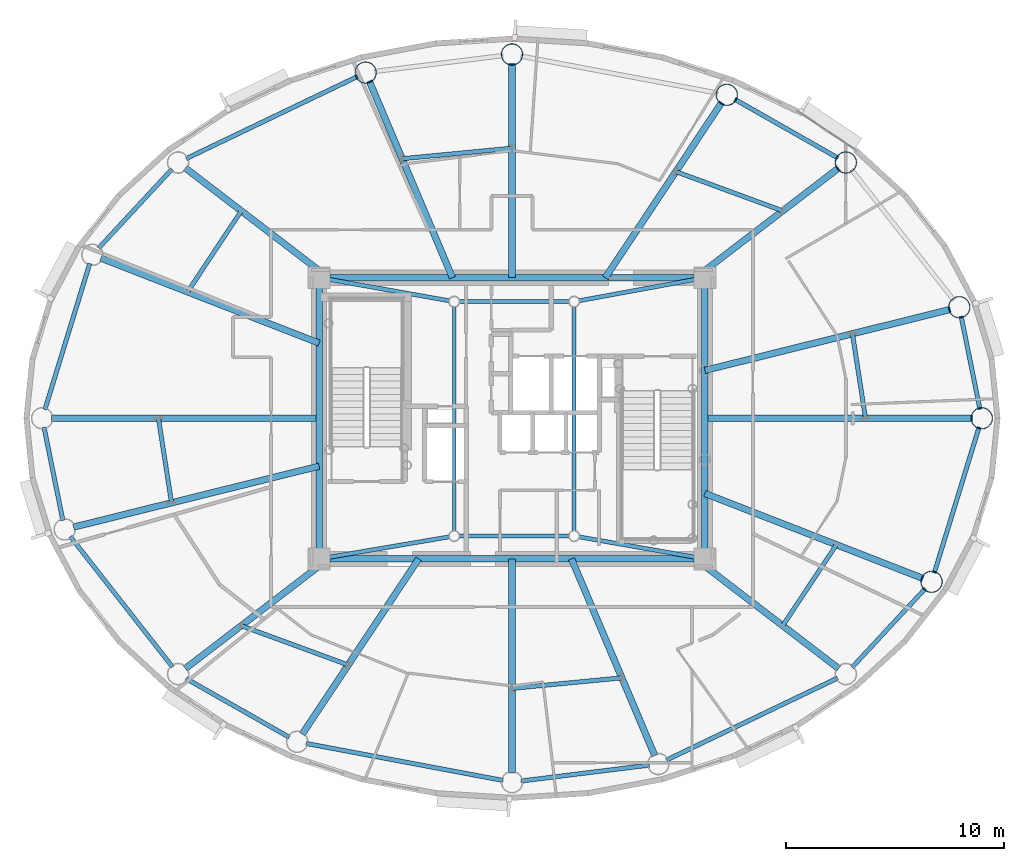
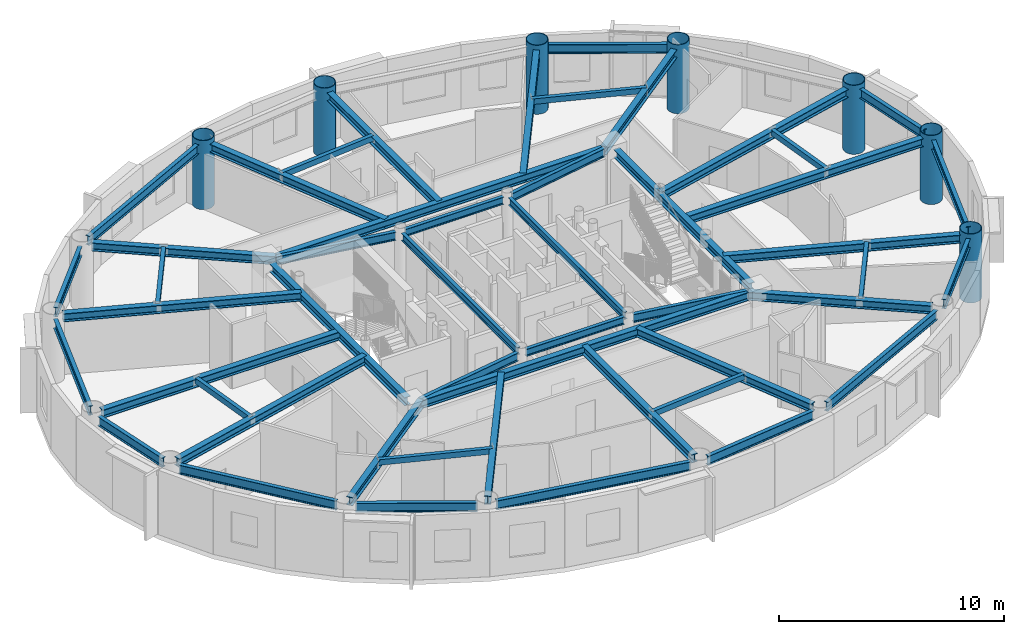
# One storey, part 2 of 17: 49 beams, 7 columns.
"""IFC4 building model written with IfcOpenShell, lengths in metres."""

from ifc_helpers import new_model, si_unit, direction, frame, origin, origin_2d, place, context, subcontext, project, spatial, hollow_rectangle, hollow_circle, i_section, extrude, material, material_profile, profile_set, type_object, element, save


model = new_model("IFC4")

# Units and contexts
model_context = context("Model", 3, precision=1e-05, world=origin(), true_north=direction((0.0, 1.0)))
body_context = subcontext(model_context, "Body", "Model", "MODEL_VIEW")
ifc_project = project(units=[si_unit("LENGTHUNIT", "METRE"), si_unit("AREAUNIT", "SQUARE_METRE"), si_unit("VOLUMEUNIT", "CUBIC_METRE"), si_unit("PLANEANGLEUNIT", "RADIAN"), si_unit("MASSUNIT", "GRAM", prefix="KILO")], contexts=[model_context])

# Site, building, storey
site_placement = place(None, origin())
site = spatial("IfcSite", under=ifc_project, at=site_placement, CompositionType="ELEMENT")
building_placement = place(site_placement, origin())
building = spatial("IfcBuilding", under=site, at=building_placement, Name="Linh Dai School and Residence Tower", CompositionType="ELEMENT")
storey_placement = place(building_placement, frame((0.0, 0.0, 310.5)))
storey = spatial("IfcBuildingStorey", under=building, at=storey_placement, Name="L77", CompositionType="ELEMENT", Elevation=310.5)

# Columns
ifc_material = material(Name="Structural Steel S355JR", Category="steel")
ifc_material_profile_1 = material_profile(ifc_material, hollow_circle(Radius=0.5, WallThickness=0.031982421875, at=origin_2d()), Name="CHS 1000x32")
ifc_profile_set_1 = profile_set([ifc_material_profile_1], Name="Structural Steel S355JR")
column_type = type_object("IfcColumnType", Name="COL-MC6", PredefinedType="COLUMN", material=ifc_profile_set_1)
for number, where, z_axis, x_axis, name in (
    (1, (57.550048828125, 27.0, 0.0), (0.0, 0.0, 1.0), (1.0, 0.0, 0.0), "L77 Perimeter CFT Mega-Column MC01"),
    (2, (56.5185546875, 32.094482421875, 0.0), (0.0, 0.0, 1.0), (1.0, 0.0, 0.0), "L77 Perimeter CFT Mega-Column MC02"),
    (3, (51.315185546875, 38.7333984375, 0.0), (0.0, 0.0, 1.0), (1.0, 0.0, 0.0), "L77 Perimeter CFT Mega-Column MC03"),
    (4, (45.8544921875, 41.8388671875, 0.0), (0.0, 0.0, 1.0), (1.0, 0.0, 0.0), "L77 Perimeter CFT Mega-Column MC04"),
    (5, (36.0, 43.68994140625, 0.0), (0.0, 0.0, 1.0), (1.0, 0.0, 0.0), "L77 Perimeter CFT Mega-Column MC05"),
    (6, (29.28759765625, 42.857666015625, 0.0), (0.0, 0.0, 1.0), (1.0, 0.0, 0.0), "L77 Perimeter CFT Mega-Column MC06"),
    (7, (55.24609375, 19.50048828125, 0.0), (0.0, 0.0, 1.0), (1.0, 0.0, 0.0), "L77 Perimeter CFT Mega-Column MC16"),
):
    element("IfcColumn", number, at=place(storey_placement, frame(where, z_axis=z_axis, x_axis=x_axis)), inside=storey, type_object=column_type, Name=name, PredefinedType="COLUMN", context=body_context, shape_type="SweptSolid", body=[
        extrude(hollow_circle(Radius=0.5, WallThickness=0.031982421875, at=origin_2d()), origin(), (0.0, 0.0, 1.0), 3.75),
    ])

# Beams
ifc_material_profile_2 = material_profile(ifc_material, hollow_rectangle(XDim=0.199951171875, YDim=0.300048828125, WallThickness=0.010009765625, at=origin_2d()), Name="RHS 300x200x10")
ifc_profile_set_2 = profile_set([ifc_material_profile_2], Name="Structural Steel S355JR")
beam_type_1 = type_object("IfcBeamType", Name="BM-BX3", PredefinedType="BEAM", material=ifc_profile_set_2)
beam_1_placement = place(storey_placement, frame((52.21533203125, 27.0048828125, 3.35009765625), z_axis=(-0.15246970742, 0.988308144416, 0.0), x_axis=(-0.988308144416, -0.15246970742, 0.0)))
element("IfcBeam", 8, at=beam_1_placement, inside=storey, type_object=beam_type_1, Name="L77 Secondary Circumferential Floor Beam 01", PredefinedType="BEAM", context=body_context, shape_type="SweptSolid", body=[
    extrude(hollow_rectangle(XDim=0.199951171875, YDim=0.300048828125, WallThickness=0.010009765625, at=origin_2d()), origin(), (0.0, 0.0, 1.0), 3.913330078125),
])
beam_2_placement = place(storey_placement, frame((48.4140625, 36.51611328125, 3.35009765625), z_axis=(-0.938699136888, 0.344737480418, 0.0), x_axis=(-0.344737480418, -0.938699136888, 0.0)))
element("IfcBeam", 9, at=beam_2_placement, inside=storey, type_object=beam_type_1, Name="L77 Secondary Circumferential Floor Beam 02", PredefinedType="BEAM", context=body_context, shape_type="SweptSolid", body=[
    extrude(hollow_rectangle(XDim=0.199951171875, YDim=0.300048828125, WallThickness=0.010009765625, at=origin_2d()), origin(), (0.0, 0.0, 1.0), 5.21435546875),
])
beam_3_placement = place(storey_placement, frame((35.9951171875, 39.388671875, 3.35009765625), z_axis=(-0.99544604529, -0.095326653757, 0.0), x_axis=(0.095326653757, -0.99544604529, 0.0)))
element("IfcBeam", 10, at=beam_3_placement, inside=storey, type_object=beam_type_1, Name="L77 Secondary Circumferential Floor Beam 03", PredefinedType="BEAM", context=body_context, shape_type="SweptSolid", body=[
    extrude(hollow_rectangle(XDim=0.199951171875, YDim=0.300048828125, WallThickness=0.010009765625, at=origin_2d()), origin(), (0.0, 0.0, 1.0), 5.052978515625),
])
beam_4_placement = place(storey_placement, frame((23.57861328125, 36.51025390625, 3.35009765625), z_axis=(-0.552138599569, -0.833752341445, 0.0), x_axis=(0.833752341445, -0.552138599569, 0.0)))
element("IfcBeam", 11, at=beam_4_placement, inside=storey, type_object=beam_type_1, Name="L77 Secondary Circumferential Floor Beam 04", PredefinedType="BEAM", context=body_context, shape_type="SweptSolid", body=[
    extrude(hollow_rectangle(XDim=0.199951171875, YDim=0.300048828125, WallThickness=0.010009765625, at=origin_2d()), origin(), (0.0, 0.0, 1.0), 4.447265625),
])
beam_5_placement = place(storey_placement, frame((19.78466796875, 26.9951171875, 3.35009765625), z_axis=(0.15246970742, -0.988308144416, 0.0), x_axis=(0.988308144416, 0.15246970742, 0.0)))
element("IfcBeam", 12, at=beam_5_placement, inside=storey, type_object=beam_type_1, Name="L77 Secondary Circumferential Floor Beam 05", PredefinedType="BEAM", context=body_context, shape_type="SweptSolid", body=[
    extrude(hollow_rectangle(XDim=0.199951171875, YDim=0.300048828125, WallThickness=0.010009765625, at=origin_2d()), origin(), (0.0, 0.0, 1.0), 3.913330078125),
])
beam_6_placement = place(storey_placement, frame((23.5859375, 17.48388671875, 3.35009765625), z_axis=(0.938699136888, -0.344737480418, 0.0), x_axis=(0.344737480418, 0.938699136888, 0.0)))
element("IfcBeam", 13, at=beam_6_placement, inside=storey, type_object=beam_type_1, Name="L77 Secondary Circumferential Floor Beam 06", PredefinedType="BEAM", context=body_context, shape_type="SweptSolid", body=[
    extrude(hollow_rectangle(XDim=0.199951171875, YDim=0.300048828125, WallThickness=0.010009765625, at=origin_2d()), origin(), (0.0, 0.0, 1.0), 5.21435546875),
])
beam_7_placement = place(storey_placement, frame((36.0048828125, 14.611328125, 3.35009765625), z_axis=(0.99544604529, 0.095326653757, 0.0), x_axis=(-0.095326653757, 0.99544604529, 0.0)))
element("IfcBeam", 14, at=beam_7_placement, inside=storey, type_object=beam_type_1, Name="L77 Secondary Circumferential Floor Beam 07", PredefinedType="BEAM", context=body_context, shape_type="SweptSolid", body=[
    extrude(hollow_rectangle(XDim=0.199951171875, YDim=0.300048828125, WallThickness=0.010009765625, at=origin_2d()), origin(), (0.0, 0.0, 1.0), 5.052978515625),
])
beam_8_placement = place(storey_placement, frame((48.42138671875, 17.48974609375, 3.35009765625), z_axis=(0.552138599569, 0.833752341445, 0.0), x_axis=(-0.833752341445, 0.552138599569, 0.0)))
element("IfcBeam", 15, at=beam_8_placement, inside=storey, type_object=beam_type_1, Name="L77 Secondary Circumferential Floor Beam 08", PredefinedType="BEAM", context=body_context, shape_type="SweptSolid", body=[
    extrude(hollow_rectangle(XDim=0.199951171875, YDim=0.300048828125, WallThickness=0.010009765625, at=origin_2d()), origin(), (0.0, 0.0, 1.0), 4.447265625),
])
ifc_material_profile_3 = material_profile(ifc_material, i_section(OverallWidth=0.199951171875, OverallDepth=0.5, WebThickness=0.01025390625, FlangeThickness=0.01611328125, FilletRadius=0.02099609375, at=origin_2d()), Name="IPE 500")
ifc_profile_set_3 = profile_set([ifc_material_profile_3], Name="Structural Steel S355JR")
beam_type_2 = type_object("IfcBeamType", Name="BM-RB50", PredefinedType="BEAM", material=ifc_profile_set_3)
beam_9_placement = place(storey_placement, frame((57.466552734375, 27.41162109375, 3.25), z_axis=(-0.198442801529, 0.980112470343, 0.0), x_axis=(-0.980112470343, -0.198442801529, 0.0)))
element("IfcBeam", 16, at=beam_9_placement, inside=storey, type_object=beam_type_2, Name="L77 Perimeter Elliptical Ring Beam 01", PredefinedType="BEAM", context=body_context, shape_type="SweptSolid", body=[
    extrude(i_section(OverallWidth=0.199951171875, OverallDepth=0.5, WebThickness=0.01025390625, FlangeThickness=0.01611328125, FilletRadius=0.02099609375, at=origin_2d()), origin(), (0.0, 0.0, 1.0), 4.357666015625),
])
beam_10_placement = place(storey_placement, frame((50.949951171875, 38.94091796875, 3.25), z_axis=(-0.869265548778, 0.494345431564, 0.0), x_axis=(-0.494345431564, -0.869265548778, 0.0)))
element("IfcBeam", 17, at=beam_10_placement, inside=storey, type_object=beam_type_2, Name="L77 Perimeter Elliptical Ring Beam 03", PredefinedType="BEAM", context=body_context, shape_type="SweptSolid", body=[
    extrude(i_section(OverallWidth=0.199951171875, OverallDepth=0.5, WebThickness=0.01025390625, FlangeThickness=0.01611328125, FilletRadius=0.02099609375, at=origin_2d()), origin(), (0.0, 0.0, 1.0), 5.44189453125),
])
beam_11_placement = place(storey_placement, frame((28.908935546875, 42.67626953125, 3.25), z_axis=(-0.901728757887, -0.4323022637, 0.0), x_axis=(0.4323022637, -0.901728757887, 0.0)))
element("IfcBeam", 18, at=beam_11_placement, inside=storey, type_object=beam_type_2, Name="L77 Perimeter Elliptical Ring Beam 06", PredefinedType="BEAM", context=body_context, shape_type="SweptSolid", body=[
    extrude(i_section(OverallWidth=0.199951171875, OverallDepth=0.5, WebThickness=0.01025390625, FlangeThickness=0.01611328125, FilletRadius=0.02099609375, at=origin_2d()), origin(), (0.0, 0.0, 1.0), 8.700439453125),
])
beam_12_placement = place(storey_placement, frame((20.399169921875, 38.425537109375, 3.25), z_axis=(-0.680415064526, -0.7328269509, 0.0), x_axis=(0.7328269509, -0.680415064526, 0.0)))
element("IfcBeam", 19, at=beam_12_placement, inside=storey, type_object=beam_type_2, Name="L77 Perimeter Elliptical Ring Beam 07", PredefinedType="BEAM", context=body_context, shape_type="SweptSolid", body=[
    extrude(i_section(OverallWidth=0.199951171875, OverallDepth=0.5, WebThickness=0.01025390625, FlangeThickness=0.01611328125, FilletRadius=0.02099609375, at=origin_2d()), origin(), (0.0, 0.0, 1.0), 4.9375),
])
beam_13_placement = place(storey_placement, frame((16.630615234375, 34.097900390625, 3.25), z_axis=(-0.293681749834, -0.955903253376, 0.0), x_axis=(0.955903253376, -0.293681749834, 0.0)))
element("IfcBeam", 20, at=beam_13_placement, inside=storey, type_object=beam_type_2, Name="L77 Perimeter Elliptical Ring Beam 08", PredefinedType="BEAM", context=body_context, shape_type="SweptSolid", body=[
    extrude(i_section(OverallWidth=0.199951171875, OverallDepth=0.5, WebThickness=0.01025390625, FlangeThickness=0.01611328125, FilletRadius=0.02099609375, at=origin_2d()), origin(), (0.0, 0.0, 1.0), 7.00537109375),
])
beam_14_placement = place(storey_placement, frame((14.533447265625, 26.58837890625, 3.25), z_axis=(0.198442801529, -0.980112470343, 0.0), x_axis=(0.980112470343, 0.198442801529, 0.0)))
element("IfcBeam", 21, at=beam_14_placement, inside=storey, type_object=beam_type_2, Name="L77 Perimeter Elliptical Ring Beam 09", PredefinedType="BEAM", context=body_context, shape_type="SweptSolid", body=[
    extrude(i_section(OverallWidth=0.199951171875, OverallDepth=0.5, WebThickness=0.01025390625, FlangeThickness=0.01611328125, FilletRadius=0.02099609375, at=origin_2d()), origin(), (0.0, 0.0, 1.0), 4.357666015625),
])
beam_15_placement = place(storey_placement, frame((15.740478515625, 21.574951171875, 3.25), z_axis=(0.616882739554, -0.787055071542, 0.0), x_axis=(0.787055071542, 0.616882739554, 0.0)))
element("IfcBeam", 22, at=beam_15_placement, inside=storey, type_object=beam_type_2, Name="L77 Perimeter Elliptical Ring Beam 10", PredefinedType="BEAM", context=body_context, shape_type="SweptSolid", body=[
    extrude(i_section(OverallWidth=0.199951171875, OverallDepth=0.5, WebThickness=0.01025390625, FlangeThickness=0.01611328125, FilletRadius=0.02099609375, at=origin_2d()), origin(), (0.0, 0.0, 1.0), 7.59521484375),
])
beam_16_placement = place(storey_placement, frame((21.050048828125, 15.05908203125, 3.25), z_axis=(0.869265548778, -0.494345431564, 0.0), x_axis=(0.494345431564, 0.869265548778, 0.0)))
element("IfcBeam", 23, at=beam_16_placement, inside=storey, type_object=beam_type_2, Name="L77 Perimeter Elliptical Ring Beam 11", PredefinedType="BEAM", context=body_context, shape_type="SweptSolid", body=[
    extrude(i_section(OverallWidth=0.199951171875, OverallDepth=0.5, WebThickness=0.01025390625, FlangeThickness=0.01611328125, FilletRadius=0.02099609375, at=origin_2d()), origin(), (0.0, 0.0, 1.0), 5.44189453125),
])
beam_17_placement = place(storey_placement, frame((26.558349609375, 12.083740234375, 3.25), z_axis=(0.982805333306, -0.184644731378, 0.0), x_axis=(0.184644731378, 0.982805333306, 0.0)))
element("IfcBeam", 24, at=beam_17_placement, inside=storey, type_object=beam_type_2, Name="L77 Perimeter Elliptical Ring Beam 12", PredefinedType="BEAM", context=body_context, shape_type="SweptSolid", body=[
    extrude(i_section(OverallWidth=0.199951171875, OverallDepth=0.5, WebThickness=0.01025390625, FlangeThickness=0.01611328125, FilletRadius=0.02099609375, at=origin_2d()), origin(), (0.0, 0.0, 1.0), 9.186767578125),
])
beam_18_placement = place(storey_placement, frame((36.416748046875, 10.361572265625, 3.25), z_axis=(0.992399134443, 0.123060789678, 0.0), x_axis=(-0.123060789678, 0.992399134443, 0.0)))
element("IfcBeam", 25, at=beam_18_placement, inside=storey, type_object=beam_type_2, Name="L77 Perimeter Elliptical Ring Beam 13", PredefinedType="BEAM", context=body_context, shape_type="SweptSolid", body=[
    extrude(i_section(OverallWidth=0.199951171875, OverallDepth=0.5, WebThickness=0.01025390625, FlangeThickness=0.01611328125, FilletRadius=0.02099609375, at=origin_2d()), origin(), (0.0, 0.0, 1.0), 5.923828125),
])
beam_19_placement = place(storey_placement, frame((43.091064453125, 11.32373046875, 3.25), z_axis=(0.901728757887, 0.4323022637, 0.0), x_axis=(-0.4323022637, 0.901728757887, 0.0)))
element("IfcBeam", 26, at=beam_19_placement, inside=storey, type_object=beam_type_2, Name="L77 Perimeter Elliptical Ring Beam 14", PredefinedType="BEAM", context=body_context, shape_type="SweptSolid", body=[
    extrude(i_section(OverallWidth=0.199951171875, OverallDepth=0.5, WebThickness=0.01025390625, FlangeThickness=0.01611328125, FilletRadius=0.02099609375, at=origin_2d()), origin(), (0.0, 0.0, 1.0), 8.700439453125),
])
beam_20_placement = place(storey_placement, frame((51.600830078125, 15.574462890625, 3.25), z_axis=(0.680415064526, 0.7328269509, 0.0), x_axis=(-0.7328269509, 0.680415064526, 0.0)))
element("IfcBeam", 27, at=beam_20_placement, inside=storey, type_object=beam_type_2, Name="L77 Perimeter Elliptical Ring Beam 15", PredefinedType="BEAM", context=body_context, shape_type="SweptSolid", body=[
    extrude(i_section(OverallWidth=0.199951171875, OverallDepth=0.5, WebThickness=0.01025390625, FlangeThickness=0.01611328125, FilletRadius=0.02099609375, at=origin_2d()), origin(), (0.0, 0.0, 1.0), 4.9375),
])
beam_21_placement = place(storey_placement, frame((55.369384765625, 19.902099609375, 3.25), z_axis=(0.293681749834, 0.955903253376, 0.0), x_axis=(-0.955903253376, 0.293681749834, 0.0)))
element("IfcBeam", 28, at=beam_21_placement, inside=storey, type_object=beam_type_2, Name="L77 Perimeter Elliptical Ring Beam 16", PredefinedType="BEAM", context=body_context, shape_type="SweptSolid", body=[
    extrude(i_section(OverallWidth=0.199951171875, OverallDepth=0.5, WebThickness=0.01025390625, FlangeThickness=0.01611328125, FilletRadius=0.02099609375, at=origin_2d()), origin(), (0.0, 0.0, 1.0), 7.00537109375),
])
ifc_material_profile_4 = material_profile(ifc_material, i_section(OverallWidth=0.300048828125, OverallDepth=0.449951171875, WebThickness=0.013916015625, FlangeThickness=0.02587890625, FilletRadius=0.027099609375, at=origin_2d()), Name="HEB 450")
ifc_profile_set_4 = profile_set([ifc_material_profile_4], Name="Structural Steel S355JR")
beam_type_3 = type_object("IfcBeamType", Name="BM-RG45", PredefinedType="BEAM", material=ifc_profile_set_4)
beam_22_placement = place(storey_placement, frame((27.570068359375, 20.550048828125, 3.27490234375), z_axis=(1.0, 0.0, 0.0), x_axis=(0.0, 1.0, 0.0)))
element("IfcBeam", 29, at=beam_22_placement, inside=storey, type_object=beam_type_3, Name="L77 Core Perimeter Coupling Girder 1", PredefinedType="BEAM", context=body_context, shape_type="SweptSolid", body=[
    extrude(i_section(OverallWidth=0.300048828125, OverallDepth=0.449951171875, WebThickness=0.013916015625, FlangeThickness=0.02587890625, FilletRadius=0.027099609375, at=origin_2d()), origin(), (0.0, 0.0, 1.0), 16.85986328125),
])
beam_23_placement = place(storey_placement, frame((44.85009765625, 20.969970703125, 3.27490234375), z_axis=(0.0, 1.0, 0.0), x_axis=(-1.0, 0.0, 0.0)))
element("IfcBeam", 30, at=beam_23_placement, inside=storey, type_object=beam_type_3, Name="L77 Core Perimeter Coupling Girder 2", PredefinedType="BEAM", context=body_context, shape_type="SweptSolid", body=[
    extrude(i_section(OverallWidth=0.300048828125, OverallDepth=0.449951171875, WebThickness=0.013916015625, FlangeThickness=0.02587890625, FilletRadius=0.027099609375, at=origin_2d()), origin(), (0.0, 0.0, 1.0), 12.06005859375),
])
beam_24_placement = place(storey_placement, frame((44.429931640625, 33.449951171875, 3.27490234375), z_axis=(-1.0, 0.0, 0.0), x_axis=(0.0, -1.0, 0.0)))
element("IfcBeam", 31, at=beam_24_placement, inside=storey, type_object=beam_type_3, Name="L77 Core Perimeter Coupling Girder 3", PredefinedType="BEAM", context=body_context, shape_type="SweptSolid", body=[
    extrude(i_section(OverallWidth=0.300048828125, OverallDepth=0.449951171875, WebThickness=0.013916015625, FlangeThickness=0.02587890625, FilletRadius=0.027099609375, at=origin_2d()), origin(), (0.0, 0.0, 1.0), 16.85986328125),
])
beam_25_placement = place(storey_placement, frame((27.14990234375, 33.030029296875, 3.27490234375), z_axis=(0.0, -1.0, 0.0), x_axis=(1.0, 0.0, 0.0)))
element("IfcBeam", 32, at=beam_25_placement, inside=storey, type_object=beam_type_3, Name="L77 Core Perimeter Coupling Girder 4", PredefinedType="BEAM", context=body_context, shape_type="SweptSolid", body=[
    extrude(i_section(OverallWidth=0.300048828125, OverallDepth=0.449951171875, WebThickness=0.013916015625, FlangeThickness=0.02587890625, FilletRadius=0.027099609375, at=origin_2d()), origin(), (0.0, 0.0, 1.0), 12.06005859375),
])
beam_26_placement = place(storey_placement, frame((44.85009765625, 27.0, 3.27490234375), z_axis=(1.0, 0.0, 0.0), x_axis=(0.0, 1.0, 0.0)))
element("IfcBeam", 33, at=beam_26_placement, inside=storey, type_object=beam_type_3, Name="L77 Primary Radial Floor Girder 01", PredefinedType="BEAM", context=body_context, shape_type="SweptSolid", body=[
    extrude(i_section(OverallWidth=0.300048828125, OverallDepth=0.449951171875, WebThickness=0.013916015625, FlangeThickness=0.02587890625, FilletRadius=0.027099609375, at=origin_2d()), origin(), (0.0, 0.0, 1.0), 12.27978515625),
])
beam_27_placement = place(storey_placement, frame((44.85009765625, 29.197265625, 3.27490234375), z_axis=(0.970532368701, 0.240970789315, 0.0), x_axis=(-0.240970789315, 0.970532368701, 0.0)))
element("IfcBeam", 34, at=beam_27_placement, inside=storey, type_object=beam_type_3, Name="L77 Primary Radial Floor Girder 02", PredefinedType="BEAM", context=body_context, shape_type="SweptSolid", body=[
    extrude(i_section(OverallWidth=0.300048828125, OverallDepth=0.449951171875, WebThickness=0.013916015625, FlangeThickness=0.02587890625, FilletRadius=0.027099609375, at=origin_2d()), origin(), (0.0, 0.0, 1.0), 11.6025390625),
])
beam_28_placement = place(storey_placement, frame((44.4189453125, 33.449951171875, 3.27490234375), z_axis=(0.793802616583, 0.608175472956, 0.0), x_axis=(-0.608175472956, 0.793802616583, 0.0)))
element("IfcBeam", 35, at=beam_28_placement, inside=storey, type_object=beam_type_3, Name="L77 Primary Radial Floor Girder 03", PredefinedType="BEAM", context=body_context, shape_type="SweptSolid", body=[
    extrude(i_section(OverallWidth=0.300048828125, OverallDepth=0.449951171875, WebThickness=0.013916015625, FlangeThickness=0.02587890625, FilletRadius=0.027099609375, at=origin_2d()), origin(), (0.0, 0.0, 1.0), 8.267578125),
])
beam_29_placement = place(storey_placement, frame((40.283447265625, 33.449951171875, 3.27490234375), z_axis=(0.553210566646, 0.833041456922, 0.0), x_axis=(-0.833041456922, 0.553210566646, 0.0)))
element("IfcBeam", 36, at=beam_29_placement, inside=storey, type_object=beam_type_3, Name="L77 Primary Radial Floor Girder 04", PredefinedType="BEAM", context=body_context, shape_type="SweptSolid", body=[
    extrude(i_section(OverallWidth=0.300048828125, OverallDepth=0.449951171875, WebThickness=0.013916015625, FlangeThickness=0.02587890625, FilletRadius=0.027099609375, at=origin_2d()), origin(), (0.0, 0.0, 1.0), 9.650146484375),
])
beam_30_placement = place(storey_placement, frame((36.0, 33.449951171875, 3.27490234375), z_axis=(0.0, 1.0, 0.0), x_axis=(-1.0, 0.0, 0.0)))
element("IfcBeam", 37, at=beam_30_placement, inside=storey, type_object=beam_type_3, Name="L77 Primary Radial Floor Girder 05", PredefinedType="BEAM", context=body_context, shape_type="SweptSolid", body=[
    extrude(i_section(OverallWidth=0.300048828125, OverallDepth=0.449951171875, WebThickness=0.013916015625, FlangeThickness=0.02587890625, FilletRadius=0.027099609375, at=origin_2d()), origin(), (0.0, 0.0, 1.0), 9.820068359375),
])
beam_31_placement = place(storey_placement, frame((33.269775390625, 33.449951171875, 3.27490234375), z_axis=(-0.389794463678, 0.920901881899, 0.0), x_axis=(-0.920901881899, -0.389794463678, 0.0)))
element("IfcBeam", 38, at=beam_31_placement, inside=storey, type_object=beam_type_3, Name="L77 Primary Radial Floor Girder 06", PredefinedType="BEAM", context=body_context, shape_type="SweptSolid", body=[
    extrude(i_section(OverallWidth=0.300048828125, OverallDepth=0.449951171875, WebThickness=0.013916015625, FlangeThickness=0.02587890625, FilletRadius=0.027099609375, at=origin_2d()), origin(), (0.0, 0.0, 1.0), 9.7958984375),
])
beam_32_placement = place(storey_placement, frame((27.5810546875, 33.449951171875, 3.27490234375), z_axis=(-0.793802616583, 0.608175472956, 0.0), x_axis=(-0.608175472956, -0.793802616583, 0.0)))
element("IfcBeam", 39, at=beam_32_placement, inside=storey, type_object=beam_type_3, Name="L77 Primary Radial Floor Girder 07", PredefinedType="BEAM", context=body_context, shape_type="SweptSolid", body=[
    extrude(i_section(OverallWidth=0.300048828125, OverallDepth=0.449951171875, WebThickness=0.013916015625, FlangeThickness=0.02587890625, FilletRadius=0.027099609375, at=origin_2d()), origin(), (0.0, 0.0, 1.0), 8.267578125),
])
beam_33_placement = place(storey_placement, frame((27.14990234375, 30.448486328125, 3.27490234375), z_axis=(-0.931760809838, 0.363072710693, 0.0), x_axis=(-0.363072710693, -0.931760809838, 0.0)))
element("IfcBeam", 40, at=beam_33_placement, inside=storey, type_object=beam_type_3, Name="L77 Primary Radial Floor Girder 08", PredefinedType="BEAM", context=body_context, shape_type="SweptSolid", body=[
    extrude(i_section(OverallWidth=0.300048828125, OverallDepth=0.449951171875, WebThickness=0.013916015625, FlangeThickness=0.02587890625, FilletRadius=0.027099609375, at=origin_2d()), origin(), (0.0, 0.0, 1.0), 10.7373046875),
])
beam_34_placement = place(storey_placement, frame((27.14990234375, 27.0, 3.27490234375), z_axis=(-1.0, 0.0, 0.0), x_axis=(0.0, -1.0, 0.0)))
element("IfcBeam", 41, at=beam_34_placement, inside=storey, type_object=beam_type_3, Name="L77 Primary Radial Floor Girder 09", PredefinedType="BEAM", context=body_context, shape_type="SweptSolid", body=[
    extrude(i_section(OverallWidth=0.300048828125, OverallDepth=0.449951171875, WebThickness=0.013916015625, FlangeThickness=0.02587890625, FilletRadius=0.027099609375, at=origin_2d()), origin(), (0.0, 0.0, 1.0), 12.27978515625),
])
beam_35_placement = place(storey_placement, frame((27.14990234375, 24.802734375, 3.27490234375), z_axis=(-0.970532368701, -0.240970789315, 0.0), x_axis=(0.240970789315, -0.970532368701, 0.0)))
element("IfcBeam", 42, at=beam_35_placement, inside=storey, type_object=beam_type_3, Name="L77 Primary Radial Floor Girder 10", PredefinedType="BEAM", context=body_context, shape_type="SweptSolid", body=[
    extrude(i_section(OverallWidth=0.300048828125, OverallDepth=0.449951171875, WebThickness=0.013916015625, FlangeThickness=0.02587890625, FilletRadius=0.027099609375, at=origin_2d()), origin(), (0.0, 0.0, 1.0), 11.6025390625),
])
beam_36_placement = place(storey_placement, frame((27.5810546875, 20.550048828125, 3.27490234375), z_axis=(-0.793802616583, -0.608175472956, 0.0), x_axis=(0.608175472956, -0.793802616583, 0.0)))
element("IfcBeam", 43, at=beam_36_placement, inside=storey, type_object=beam_type_3, Name="L77 Primary Radial Floor Girder 11", PredefinedType="BEAM", context=body_context, shape_type="SweptSolid", body=[
    extrude(i_section(OverallWidth=0.300048828125, OverallDepth=0.449951171875, WebThickness=0.013916015625, FlangeThickness=0.02587890625, FilletRadius=0.027099609375, at=origin_2d()), origin(), (0.0, 0.0, 1.0), 8.267578125),
])
beam_37_placement = place(storey_placement, frame((31.716552734375, 20.550048828125, 3.27490234375), z_axis=(-0.553210566646, -0.833041456922, 0.0), x_axis=(0.833041456922, -0.553210566646, 0.0)))
element("IfcBeam", 44, at=beam_37_placement, inside=storey, type_object=beam_type_3, Name="L77 Primary Radial Floor Girder 12", PredefinedType="BEAM", context=body_context, shape_type="SweptSolid", body=[
    extrude(i_section(OverallWidth=0.300048828125, OverallDepth=0.449951171875, WebThickness=0.013916015625, FlangeThickness=0.02587890625, FilletRadius=0.027099609375, at=origin_2d()), origin(), (0.0, 0.0, 1.0), 9.650146484375),
])
beam_38_placement = place(storey_placement, frame((36.0, 20.550048828125, 3.27490234375), z_axis=(0.0, -1.0, 0.0), x_axis=(1.0, 0.0, 0.0)))
element("IfcBeam", 45, at=beam_38_placement, inside=storey, type_object=beam_type_3, Name="L77 Primary Radial Floor Girder 13", PredefinedType="BEAM", context=body_context, shape_type="SweptSolid", body=[
    extrude(i_section(OverallWidth=0.300048828125, OverallDepth=0.449951171875, WebThickness=0.013916015625, FlangeThickness=0.02587890625, FilletRadius=0.027099609375, at=origin_2d()), origin(), (0.0, 0.0, 1.0), 9.820068359375),
])
beam_39_placement = place(storey_placement, frame((38.730224609375, 20.550048828125, 3.27490234375), z_axis=(0.389794463678, -0.920901881899, 0.0), x_axis=(0.920901881899, 0.389794463678, 0.0)))
element("IfcBeam", 46, at=beam_39_placement, inside=storey, type_object=beam_type_3, Name="L77 Primary Radial Floor Girder 14", PredefinedType="BEAM", context=body_context, shape_type="SweptSolid", body=[
    extrude(i_section(OverallWidth=0.300048828125, OverallDepth=0.449951171875, WebThickness=0.013916015625, FlangeThickness=0.02587890625, FilletRadius=0.027099609375, at=origin_2d()), origin(), (0.0, 0.0, 1.0), 9.7958984375),
])
beam_40_placement = place(storey_placement, frame((44.4189453125, 20.550048828125, 3.27490234375), z_axis=(0.793802616583, -0.608175472956, 0.0), x_axis=(0.608175472956, 0.793802616583, 0.0)))
element("IfcBeam", 47, at=beam_40_placement, inside=storey, type_object=beam_type_3, Name="L77 Primary Radial Floor Girder 15", PredefinedType="BEAM", context=body_context, shape_type="SweptSolid", body=[
    extrude(i_section(OverallWidth=0.300048828125, OverallDepth=0.449951171875, WebThickness=0.013916015625, FlangeThickness=0.02587890625, FilletRadius=0.027099609375, at=origin_2d()), origin(), (0.0, 0.0, 1.0), 8.267578125),
])
beam_41_placement = place(storey_placement, frame((44.85009765625, 23.551513671875, 3.27490234375), z_axis=(0.931760809838, -0.363072710693, 0.0), x_axis=(0.363072710693, 0.931760809838, 0.0)))
element("IfcBeam", 48, at=beam_41_placement, inside=storey, type_object=beam_type_3, Name="L77 Primary Radial Floor Girder 16", PredefinedType="BEAM", context=body_context, shape_type="SweptSolid", body=[
    extrude(i_section(OverallWidth=0.300048828125, OverallDepth=0.449951171875, WebThickness=0.013916015625, FlangeThickness=0.02587890625, FilletRadius=0.027099609375, at=origin_2d()), origin(), (0.0, 0.0, 1.0), 10.7373046875),
])
ifc_material_profile_5 = material_profile(ifc_material, i_section(OverallWidth=0.179931640625, OverallDepth=0.39990234375, WebThickness=0.008544921875, FlangeThickness=0.013427734375, FilletRadius=0.02099609375, at=origin_2d()), Name="IPE 400")
ifc_profile_set_5 = profile_set([ifc_material_profile_5], Name="Structural Steel S355JR")
beam_type_4 = type_object("IfcBeamType", Name="BM-SB40", PredefinedType="BEAM", material=ifc_profile_set_5)
beam_42_placement = place(storey_placement, frame((33.573974609375, 21.60009765625, 3.300048828125), z_axis=(1.0, 0.0, 0.0), x_axis=(0.0, 1.0, 0.0)))
element("IfcBeam", 49, at=beam_42_placement, inside=storey, type_object=beam_type_4, Name="L77 Core Mast Pier Tie Beam 1", PredefinedType="BEAM", context=body_context, shape_type="SweptSolid", body=[
    extrude(i_section(OverallWidth=0.179931640625, OverallDepth=0.39990234375, WebThickness=0.008544921875, FlangeThickness=0.013427734375, FilletRadius=0.02099609375, at=origin_2d()), origin(), (0.0, 0.0, 1.0), 5.052001953125),
])
beam_43_placement = place(storey_placement, frame((38.85009765625, 21.823974609375, 3.300048828125), z_axis=(0.0, 1.0, 0.0), x_axis=(-1.0, 0.0, 0.0)))
element("IfcBeam", 50, at=beam_43_placement, inside=storey, type_object=beam_type_4, Name="L77 Core Mast Pier Tie Beam 2", PredefinedType="BEAM", context=body_context, shape_type="SweptSolid", body=[
    extrude(i_section(OverallWidth=0.179931640625, OverallDepth=0.39990234375, WebThickness=0.008544921875, FlangeThickness=0.013427734375, FilletRadius=0.02099609375, at=origin_2d()), origin(), (0.0, 0.0, 1.0), 10.302001953125),
])
beam_44_placement = place(storey_placement, frame((38.6259765625, 32.35009765625, 3.300048828125), z_axis=(-1.0, 0.0, 0.0), x_axis=(0.0, -1.0, 0.0)))
element("IfcBeam", 51, at=beam_44_placement, inside=storey, type_object=beam_type_4, Name="L77 Core Mast Pier Tie Beam 3", PredefinedType="BEAM", context=body_context, shape_type="SweptSolid", body=[
    extrude(i_section(OverallWidth=0.179931640625, OverallDepth=0.39990234375, WebThickness=0.008544921875, FlangeThickness=0.013427734375, FilletRadius=0.02099609375, at=origin_2d()), origin(), (0.0, 0.0, 1.0), 5.052001953125),
])
beam_45_placement = place(storey_placement, frame((33.35009765625, 32.1259765625, 3.300048828125), z_axis=(0.0, -1.0, 0.0), x_axis=(1.0, 0.0, 0.0)))
element("IfcBeam", 52, at=beam_45_placement, inside=storey, type_object=beam_type_4, Name="L77 Core Mast Pier Tie Beam 4", PredefinedType="BEAM", context=body_context, shape_type="SweptSolid", body=[
    extrude(i_section(OverallWidth=0.179931640625, OverallDepth=0.39990234375, WebThickness=0.008544921875, FlangeThickness=0.013427734375, FilletRadius=0.02099609375, at=origin_2d()), origin(), (0.0, 0.0, 1.0), 10.302001953125),
])
ifc_material_profile_6 = material_profile(ifc_material, i_section(OverallWidth=0.18994140625, OverallDepth=0.449951171875, WebThickness=0.009521484375, FlangeThickness=0.0146484375, FilletRadius=0.02099609375, at=origin_2d()), Name="IPE 450")
ifc_profile_set_6 = profile_set([ifc_material_profile_6], Name="Structural Steel S355JR")
beam_type_5 = type_object("IfcBeamType", Name="BM-SB45", PredefinedType="BEAM", material=ifc_profile_set_6)
beam_46_placement = place(storey_placement, frame((27.564208984375, 20.6201171875, 3.27490234375), z_axis=(0.98596270559, 0.166965694638, 0.0), x_axis=(-0.166965694638, 0.98596270559, 0.0)))
element("IfcBeam", 53, at=beam_46_placement, inside=storey, type_object=beam_type_5, Name="L77 Core Corner-to-Mast Pier Beam 1", PredefinedType="BEAM", context=body_context, shape_type="SweptSolid", body=[
    extrude(i_section(OverallWidth=0.18994140625, OverallDepth=0.449951171875, WebThickness=0.009521484375, FlangeThickness=0.0146484375, FilletRadius=0.02099609375, at=origin_2d()), origin(), (0.0, 0.0, 1.0), 5.644287109375),
])
beam_47_placement = place(storey_placement, frame((44.436279296875, 20.622314453125, 3.27490234375), z_axis=(-0.985031608673, 0.17237380867, 0.0), x_axis=(-0.17237380867, -0.985031608673, 0.0)))
element("IfcBeam", 54, at=beam_47_placement, inside=storey, type_object=beam_type_5, Name="L77 Core Corner-to-Mast Pier Beam 2", PredefinedType="BEAM", context=body_context, shape_type="SweptSolid", body=[
    extrude(i_section(OverallWidth=0.18994140625, OverallDepth=0.449951171875, WebThickness=0.009521484375, FlangeThickness=0.0146484375, FilletRadius=0.02099609375, at=origin_2d()), origin(), (0.0, 0.0, 1.0), 5.447265625),
])
beam_48_placement = place(storey_placement, frame((44.436767578125, 33.374267578125, 3.27490234375), z_axis=(-0.983605366802, -0.180334362777, 0.0), x_axis=(0.180334362777, -0.983605366802, 0.0)))
element("IfcBeam", 55, at=beam_48_placement, inside=storey, type_object=beam_type_5, Name="L77 Core Corner-to-Mast Pier Beam 3", PredefinedType="BEAM", context=body_context, shape_type="SweptSolid", body=[
    extrude(i_section(OverallWidth=0.18994140625, OverallDepth=0.449951171875, WebThickness=0.009521484375, FlangeThickness=0.0146484375, FilletRadius=0.02099609375, at=origin_2d()), origin(), (0.0, 0.0, 1.0), 5.455810546875),
])
beam_49_placement = place(storey_placement, frame((27.5634765625, 33.376708984375, 3.27490234375), z_axis=(0.984621828197, -0.174699328672, 0.0), x_axis=(0.174699328672, 0.984621828197, 0.0)))
element("IfcBeam", 56, at=beam_49_placement, inside=storey, type_object=beam_type_5, Name="L77 Core Corner-to-Mast Pier Beam 4", PredefinedType="BEAM", context=body_context, shape_type="SweptSolid", body=[
    extrude(i_section(OverallWidth=0.18994140625, OverallDepth=0.449951171875, WebThickness=0.009521484375, FlangeThickness=0.0146484375, FilletRadius=0.02099609375, at=origin_2d()), origin(), (0.0, 0.0, 1.0), 5.65283203125),
])

save(model, "model.ifc")
